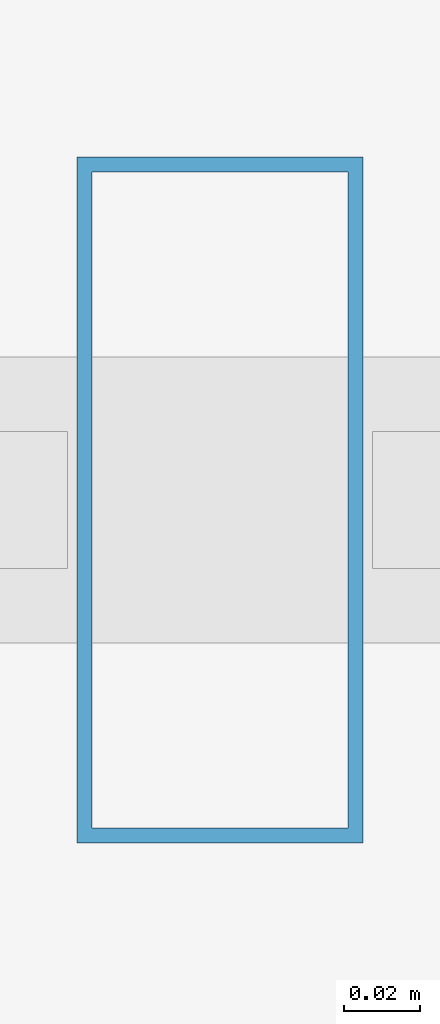
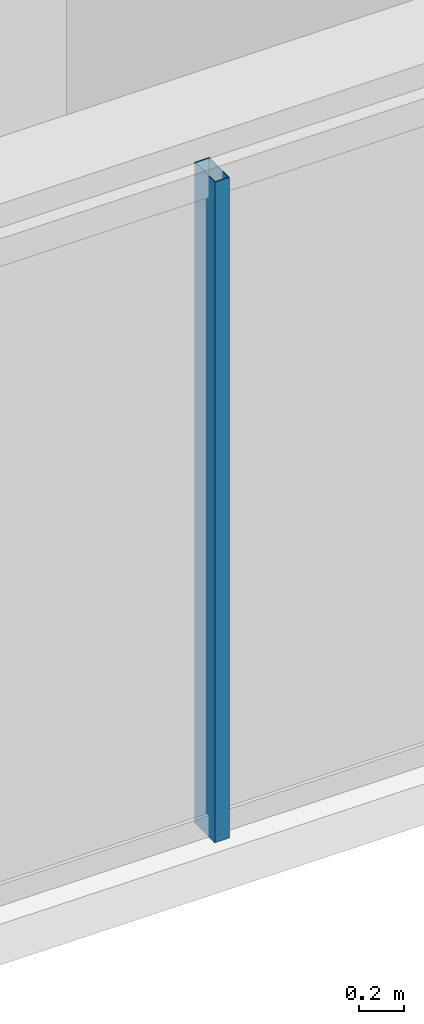
# One storey, part 4 of 33: 1 member, 1 element without a shape of its own.
"""IFC4 building model written with IfcOpenShell, lengths in metres."""

from ifc_helpers import new_model, si_unit, direction, frame, origin, origin_2d, place, context, subcontext, project, spatial, hollow_rectangle, extrude, material, layer, layer_set, material_profile, profile_set, type_object, element, aggregate, save


model = new_model("IFC4")

# Units and contexts
model_context = context("Model", 3, precision=1e-05, world=origin(), true_north=direction((0.0, 1.0)))
body_context = subcontext(model_context, "Body", "Model", "MODEL_VIEW")
ifc_project = project(units=[si_unit("LENGTHUNIT", "METRE"), si_unit("AREAUNIT", "SQUARE_METRE"), si_unit("VOLUMEUNIT", "CUBIC_METRE"), si_unit("PLANEANGLEUNIT", "RADIAN"), si_unit("MASSUNIT", "GRAM", prefix="KILO")], contexts=[model_context])

# Site, building, storey
site_placement = place(None, origin())
site = spatial("IfcSite", under=ifc_project, at=site_placement, CompositionType="ELEMENT")
building_placement = place(site_placement, origin())
building = spatial("IfcBuilding", under=site, at=building_placement, Name="Ndaravel Arena Tower", CompositionType="ELEMENT")
storey_placement = place(building_placement, frame((0.0, 0.0, 153.60009765625)))
storey = spatial("IfcBuildingStorey", under=building, at=storey_placement, Name="L36", CompositionType="ELEMENT", Elevation=153.60009765625)

# Curtain wall, member
ifc_material_1 = material(Name="Aluminium", Category="aluminium")
ifc_layer = layer(ifc_material_1, 0.179931640625)
ifc_layer_set = layer_set([ifc_layer], Name="Aluminium")
curtain_wall_type = type_object("IfcCurtainWallType", Name="CW-SYS-03", PredefinedType="NOTDEFINED", material=ifc_layer_set)
curtain_wall_placement = place(storey_placement, origin())
curtain_wall = element("IfcCurtainWall", 1, at=curtain_wall_placement, inside=storey, type_object=curtain_wall_type, Name="L36 Faceted Crystal Curtain Wall CW-L36-E01", PredefinedType="NOTDEFINED")
ifc_material_2 = material(Name="Aluminium", Category="aluminium")
ifc_material_profile = material_profile(ifc_material_2, hollow_rectangle(XDim=0.074951171875, YDim=0.179931640625, WallThickness=0.00390625, at=origin_2d()), Name="CW MULLION 75x180x4")
ifc_profile_set = profile_set([ifc_material_profile], Name="Aluminium")
member_type = type_object("IfcMemberType", Name="MEM-CW-MUL180", PredefinedType="MULLION", material=ifc_profile_set)
member_placement = place(storey_placement, frame((32.962158203125, 5.159912109375, 0.0), z_axis=(0.0, 0.0, 1.0), x_axis=(1.0, 0.0, 0.0)))
member = element("IfcMember", 2, at=member_placement, type_object=member_type, Name="CW-L36-E01 Mullion 02", PredefinedType="MULLION", context=body_context, shape_type="SweptSolid", body=[
    extrude(hollow_rectangle(XDim=0.074951171875, YDim=0.179931640625, WallThickness=0.00390625, at=origin_2d()), origin(), (0.0, 0.0, 1.0), 3.579833984375),
])
aggregate(curtain_wall, [member])

save(model, "model.ifc")
